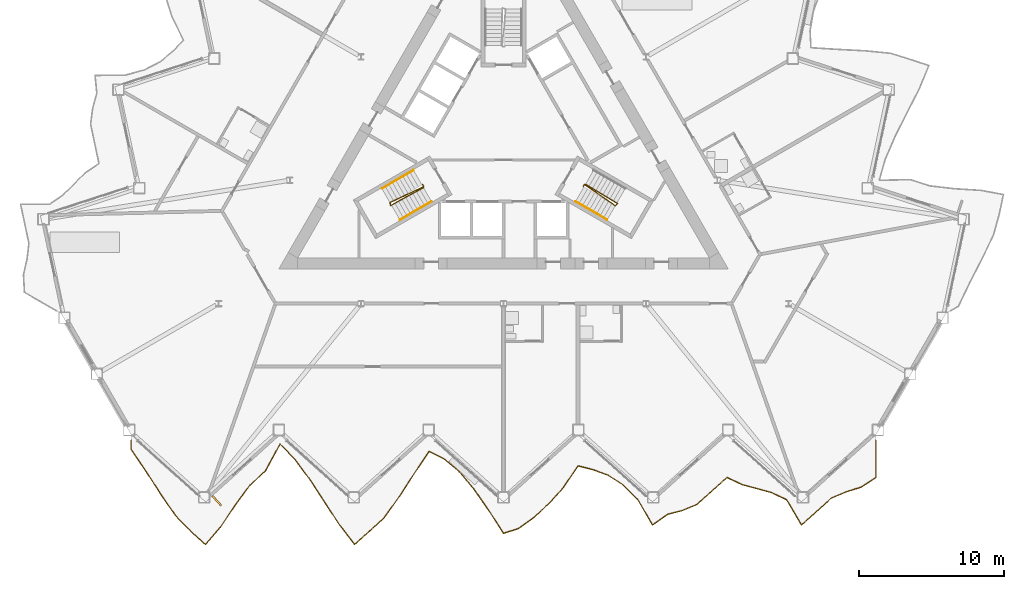
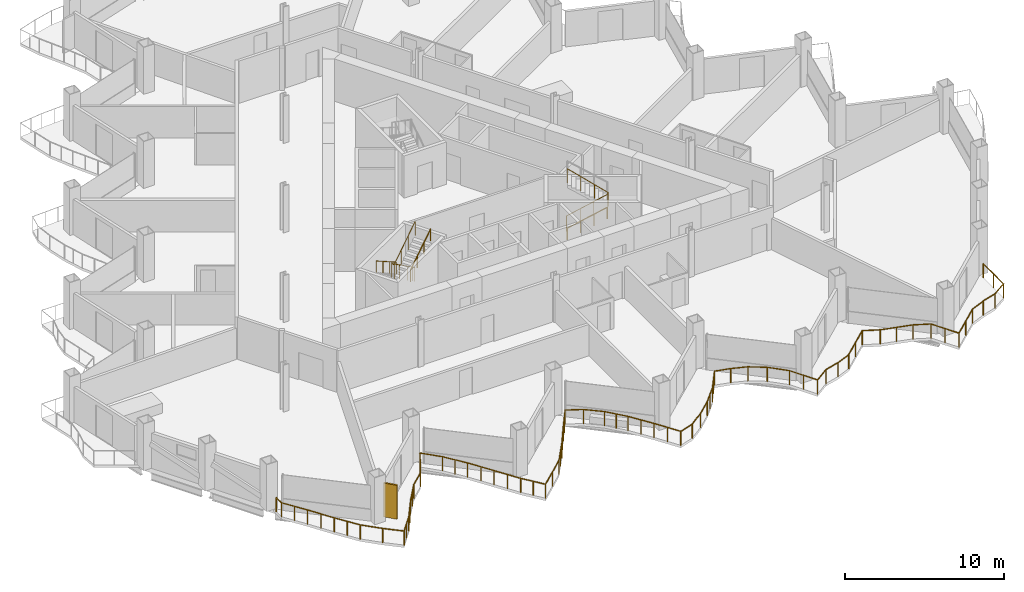
# One storey, part 18 of 22: 6 railings, 1 shading device.
"""IFC4 building model written with IfcOpenShell, lengths in metres."""

from ifc_helpers import new_model, si_unit, direction, frame, origin, origin_2d, place, context, subcontext, project, spatial, rectangle, circle, extrude, material, layer, layer_set, type_object, element, save


model = new_model("IFC4")

# Units and contexts
model_context = context("Model", 3, precision=1e-05, world=origin(), true_north=direction((0.0, 1.0)))
body_context = subcontext(model_context, "Body", "Model", "MODEL_VIEW")
ifc_project = project(units=[si_unit("LENGTHUNIT", "METRE"), si_unit("AREAUNIT", "SQUARE_METRE"), si_unit("VOLUMEUNIT", "CUBIC_METRE"), si_unit("PLANEANGLEUNIT", "RADIAN"), si_unit("MASSUNIT", "GRAM", prefix="KILO")], contexts=[model_context])

# Site, building, storey
site_placement = place(None, origin())
site = spatial("IfcSite", under=ifc_project, at=site_placement, CompositionType="ELEMENT")
building_placement = place(site_placement, origin())
building = spatial("IfcBuilding", under=site, at=building_placement, Name="Cormorant Prow Tower", CompositionType="ELEMENT")
storey_placement = place(building_placement, frame((0.0, 0.0, 194.39990234375)))
storey = spatial("IfcBuildingStorey", under=building, at=storey_placement, Name="L42", CompositionType="ELEMENT", Elevation=194.39990234375)

# Railings
ifc_material_1 = material(Name="Aluminium 6063-T6", Category="aluminium")
railing_type_1 = type_object("IfcRailingType", Name="Balcony guard 1100", PredefinedType="GUARDRAIL", material=ifc_material_1)
railing_1_placement = place(storey_placement, frame((-25.692626953125, -20.779052734375, 0.0)))
element("IfcRailing", 1, at=railing_1_placement, inside=storey, type_object=railing_type_1, Name="Balcony guard S", PredefinedType="GUARDRAIL", context=body_context, shape_type="SweptSolid", body=[
    extrude(circle(Radius=0.02392578125, at=origin_2d()), frame((0.0, 0.0, 1.076171875), z_axis=(0.0, -1.0, 0.0), x_axis=(1.0, 0.0, 0.0)), (0.0, 0.0, 1.0), 0.635986328125),
    extrude(circle(Radius=0.02392578125, at=origin_2d()), frame((0.0, -0.635986328125, 1.076171875), z_axis=(0.562880383359, -0.826538368153, 0.0), x_axis=(0.826538368153, 0.562880383359, 0.0)), (0.0, 0.0, 1.0), 1.825927734375),
    extrude(circle(Radius=0.02392578125, at=origin_2d()), frame((1.02783203125, -2.145263671875, 1.076171875), z_axis=(0.5414205618, -0.840751910649, 0.0), x_axis=(0.840751910649, 0.5414205618, 0.0)), (0.0, 0.0, 1.0), 1.89794921875),
    extrude(circle(Radius=0.02392578125, at=origin_2d()), frame((2.055419921875, -3.740966796875, 1.076171875), z_axis=(0.56798835838, -0.823036587731, 0.0), x_axis=(0.823036587731, 0.56798835838, 0.0)), (0.0, 0.0, 1.0), 1.80908203125),
    extrude(circle(Radius=0.02392578125, at=origin_2d()), frame((3.0830078125, -5.22998046875, 1.076171875), z_axis=(0.702503094506, -0.711680688377, 0.0), x_axis=(0.711680688377, 0.702503094506, 0.0)), (0.0, 0.0, 1.0), 1.463134765625),
    extrude(circle(Radius=0.02392578125, at=origin_2d()), frame((4.11083984375, -6.271240234375, 1.076171875), z_axis=(0.743127320917, -0.669150046632, 0.0), x_axis=(0.669150046632, 0.743127320917, 0.0)), (0.0, 0.0, 1.0), 1.3828125),
    extrude(circle(Radius=0.02392578125, at=origin_2d()), frame((5.138427734375, -7.196533203125, 1.076171875), z_axis=(0.65038416504, 0.759605448812, 0.0), x_axis=(-0.759605448812, 0.65038416504, 0.0)), (0.0, 0.0, 1.0), 1.580322265625),
    extrude(circle(Radius=0.02392578125, at=origin_2d()), frame((6.166259765625, -5.99609375, 1.076171875), z_axis=(0.554122819818, 0.832434922716, 0.0), x_axis=(-0.832434922716, 0.554122819818, 0.0)), (0.0, 0.0, 1.0), 1.8544921875),
    extrude(circle(Radius=0.02392578125, at=origin_2d()), frame((7.19384765625, -4.452392578125, 1.076171875), z_axis=(0.59681979502, 0.80237530637, 0.0), x_axis=(-0.80237530637, 0.59681979502, 0.0)), (0.0, 0.0, 1.0), 1.72216796875),
    extrude(circle(Radius=0.02392578125, at=origin_2d()), frame((8.2216796875, -3.070556640625, 1.076171875), z_axis=(0.743127320917, 0.669150046632, 0.0), x_axis=(-0.669150046632, 0.743127320917, 0.0)), (0.0, 0.0, 1.0), 1.3828125),
    extrude(circle(Radius=0.02392578125, at=origin_2d()), frame((9.249267578125, -2.145263671875, 1.076171875), z_axis=(0.481172710417, 0.87662581684, 0.0), x_axis=(-0.87662581684, 0.481172710417, 0.0)), (0.0, 0.0, 1.0), 2.135986328125),
    extrude(circle(Radius=0.02392578125, at=origin_2d()), frame((10.277099609375, -0.272705078125, 1.076171875), z_axis=(0.69552877323, -0.718498243289, 0.0), x_axis=(0.718498243289, 0.69552877323, 0.0)), (0.0, 0.0, 1.0), 1.4775390625),
    extrude(circle(Radius=0.02392578125, at=origin_2d()), frame((11.3046875, -1.334228515625, 1.076171875), z_axis=(0.597023504083, -0.802223744084, 0.0), x_axis=(0.802223744084, 0.597023504083, 0.0)), (0.0, 0.0, 1.0), 1.7216796875),
    extrude(circle(Radius=0.02392578125, at=origin_2d()), frame((12.33251953125, -2.71533203125, 1.076171875), z_axis=(0.547684018413, -0.836685255024, 0.0), x_axis=(0.836685255024, 0.547684018413, 0.0)), (0.0, 0.0, 1.0), 1.876220703125),
    extrude(circle(Radius=0.02392578125, at=origin_2d()), frame((13.360107421875, -4.28515625, 1.076171875), z_axis=(0.547060291965, -0.83709320685, 0.0), x_axis=(0.83709320685, 0.547060291965, 0.0)), (0.0, 0.0, 1.0), 1.87890625),
    extrude(circle(Radius=0.02392578125, at=origin_2d()), frame((14.387939453125, -5.85791015625, 1.076171875), z_axis=(0.608920414258, -0.793231321306, 0.0), x_axis=(0.793231321306, 0.608920414258, 0.0)), (0.0, 0.0, 1.0), 1.6875),
    extrude(circle(Radius=0.02392578125, at=origin_2d()), frame((15.41552734375, -7.196533203125, 1.076171875), z_axis=(0.743206360721, 0.669062258227, 0.0), x_axis=(-0.669062258227, 0.743206360721, 0.0)), (0.0, 0.0, 1.0), 1.383056640625),
    extrude(circle(Radius=0.02392578125, at=origin_2d()), frame((16.443359375, -6.271240234375, 1.076171875), z_axis=(0.738398132873, 0.674365032731, 0.0), x_axis=(-0.674365032731, 0.738398132873, 0.0)), (0.0, 0.0, 1.0), 1.3916015625),
    extrude(circle(Radius=0.02392578125, at=origin_2d()), frame((17.470947265625, -5.332763671875, 1.076171875), z_axis=(0.582218913064, 0.81303206411, 0.0), x_axis=(-0.81303206411, 0.582218913064, 0.0)), (0.0, 0.0, 1.0), 1.765380859375),
    extrude(circle(Radius=0.02392578125, at=origin_2d()), frame((18.498779296875, -3.8974609375, 1.076171875), z_axis=(0.543476120583, 0.839424628157, 0.0), x_axis=(-0.839424628157, 0.543476120583, 0.0)), (0.0, 0.0, 1.0), 1.890869140625),
    extrude(circle(Radius=0.02392578125, at=origin_2d()), frame((19.5263671875, -2.310302734375, 1.076171875), z_axis=(0.553122603933, 0.833099864973, 0.0), x_axis=(-0.833099864973, 0.553122603933, 0.0)), (0.0, 0.0, 1.0), 1.858154296875),
    extrude(circle(Radius=0.02392578125, at=origin_2d()), frame((20.55419921875, -0.76220703125, 1.076171875), z_axis=(0.89199817842, -0.452038991345, 0.0), x_axis=(0.452038991345, 0.89199817842, 0.0)), (0.0, 0.0, 1.0), 1.152099609375),
    extrude(circle(Radius=0.02392578125, at=origin_2d()), frame((21.581787109375, -1.282958984375, 1.076171875), z_axis=(0.768789762863, -0.639501603217, 0.0), x_axis=(0.639501603217, 0.768789762863, 0.0)), (0.0, 0.0, 1.0), 1.3369140625),
    extrude(circle(Radius=0.02392578125, at=origin_2d()), frame((22.609619140625, -2.137939453125, 1.076171875), z_axis=(0.647402819957, -0.762148009714, 0.0), x_axis=(0.762148009714, 0.647402819957, 0.0)), (0.0, 0.0, 1.0), 1.587158203125),
    extrude(circle(Radius=0.02392578125, at=origin_2d()), frame((23.63720703125, -3.34765625, 1.076171875), z_axis=(0.569723566224, -0.821836393748, 0.0), x_axis=(0.821836393748, 0.569723566224, 0.0)), (0.0, 0.0, 1.0), 1.80419921875),
    extrude(circle(Radius=0.02392578125, at=origin_2d()), frame((24.6650390625, -4.830322265625, 1.076171875), z_axis=(0.541537690381, -0.840676471597, 0.0), x_axis=(0.840676471597, 0.541537690381, 0.0)), (0.0, 0.0, 1.0), 1.8974609375),
    extrude(circle(Radius=0.02392578125, at=origin_2d()), frame((25.692626953125, -6.425537109375, 1.076171875), z_axis=(0.950496607834, 0.310734932853, 0.0), x_axis=(-0.310734932853, 0.950496607834, 0.0)), (0.0, 0.0, 1.0), 1.0810546875),
    extrude(circle(Radius=0.02392578125, at=origin_2d()), frame((26.72021484375, -6.089599609375, 1.076171875), z_axis=(0.810181630991, 0.586178918765, 0.0), x_axis=(-0.586178918765, 0.810181630991, 0.0)), (0.0, 0.0, 1.0), 1.2685546875),
    extrude(circle(Radius=0.02392578125, at=origin_2d()), frame((27.748046875, -5.345947265625, 1.076171875), z_axis=(0.743127320917, 0.669150046632, 0.0), x_axis=(-0.669150046632, 0.743127320917, 0.0)), (0.0, 0.0, 1.0), 1.3828125),
    extrude(circle(Radius=0.02392578125, at=origin_2d()), frame((28.775634765625, -4.420654296875, 1.076171875), z_axis=(0.673388996179, 0.739288346874, 0.0), x_axis=(-0.739288346874, 0.673388996179, 0.0)), (0.0, 0.0, 1.0), 1.5263671875),
    extrude(circle(Radius=0.02392578125, at=origin_2d()), frame((29.803466796875, -3.292236328125, 1.076171875), z_axis=(0.559445461003, 0.828867164365, 0.0), x_axis=(-0.828867164365, 0.559445461003, 0.0)), (0.0, 0.0, 1.0), 1.8369140625),
    extrude(circle(Radius=0.02392578125, at=origin_2d()), frame((30.8310546875, -1.769775390625, 1.076171875), z_axis=(0.970223783339, -0.242210260401, 0.0), x_axis=(0.242210260401, 0.970223783339, 0.0)), (0.0, 0.0, 1.0), 1.059326171875),
    extrude(circle(Radius=0.02392578125, at=origin_2d()), frame((31.85888671875, -2.0263671875, 1.076171875), z_axis=(0.938825840558, -0.344392277933, 0.0), x_axis=(0.344392277933, 0.938825840558, 0.0)), (0.0, 0.0, 1.0), 1.094482421875),
    extrude(circle(Radius=0.02392578125, at=origin_2d()), frame((32.886474609375, -2.4033203125, 1.076171875), z_axis=(0.843125057898, -0.537717525049, 0.0), x_axis=(0.537717525049, 0.843125057898, 0.0)), (0.0, 0.0, 1.0), 1.218994140625),
    extrude(circle(Radius=0.02392578125, at=origin_2d()), frame((33.914306640625, -3.058837890625, 1.076171875), z_axis=(0.712756953572, -0.701411095674, 0.0), x_axis=(0.701411095674, 0.712756953572, 0.0)), (0.0, 0.0, 1.0), 1.441650390625),
    extrude(circle(Radius=0.02392578125, at=origin_2d()), frame((34.94189453125, -4.070068359375, 1.076171875), z_axis=(0.500768984938, -0.865580974678, 0.0), x_axis=(0.865580974678, 0.500768984938, 0.0)), (0.0, 0.0, 1.0), 2.052490234375),
    extrude(circle(Radius=0.02392578125, at=origin_2d()), frame((35.9697265625, -5.8466796875, 1.076171875), z_axis=(0.814961420902, 0.579515213295, 0.0), x_axis=(-0.579515213295, 0.814961420902, 0.0)), (0.0, 0.0, 1.0), 1.260986328125),
    extrude(circle(Radius=0.02392578125, at=origin_2d()), frame((36.997314453125, -5.115966796875, 1.076171875), z_axis=(0.967967929933, 0.251073866862, 0.0), x_axis=(-0.251073866862, 0.967967929933, 0.0)), (0.0, 0.0, 1.0), 1.061767578125),
    extrude(circle(Radius=0.02392578125, at=origin_2d()), frame((38.025146484375, -4.849365234375, 1.076171875), z_axis=(0.922901671941, 0.385035717731, 0.0), x_axis=(-0.385035717731, 0.922901671941, 0.0)), (0.0, 0.0, 1.0), 1.113525390625),
    extrude(circle(Radius=0.02392578125, at=origin_2d()), frame((39.052734375, -4.420654296875, 1.076171875), z_axis=(0.743206360721, 0.669062258227, 0.0), x_axis=(-0.669062258227, 0.743206360721, 0.0)), (0.0, 0.0, 1.0), 1.383056640625),
    extrude(circle(Radius=0.02392578125, at=origin_2d()), frame((40.08056640625, -3.495361328125, 1.076171875), z_axis=(0.743127320917, 0.669150046632, 0.0), x_axis=(-0.669150046632, 0.743127320917, 0.0)), (0.0, 0.0, 1.0), 1.3828125),
    extrude(circle(Radius=0.02392578125, at=origin_2d()), frame((41.108154296875, -2.570068359375, 1.076171875), z_axis=(0.90400437301, -0.427523208234, 0.0), x_axis=(0.427523208234, 0.90400437301, 0.0)), (0.0, 0.0, 1.0), 1.136962890625),
    extrude(circle(Radius=0.02392578125, at=origin_2d()), frame((42.135986328125, -3.05615234375, 1.076171875), z_axis=(0.966200640542, -0.257791237664, 0.0), x_axis=(0.257791237664, 0.966200640542, 0.0)), (0.0, 0.0, 1.0), 1.0634765625),
    extrude(circle(Radius=0.02392578125, at=origin_2d()), frame((43.16357421875, -3.330322265625, 1.076171875), z_axis=(0.96354413656, -0.267549428893, 0.0), x_axis=(0.267549428893, 0.96354413656, 0.0)), (0.0, 0.0, 1.0), 1.066650390625),
    extrude(circle(Radius=0.02392578125, at=origin_2d()), frame((44.19140625, -3.61572265625, 1.076171875), z_axis=(0.905539017298, -0.424262994087, 0.0), x_axis=(0.424262994087, 0.905539017298, 0.0)), (0.0, 0.0, 1.0), 1.134765625),
    extrude(circle(Radius=0.02392578125, at=origin_2d()), frame((45.218994140625, -4.09716796875, 1.076171875), z_axis=(0.506546812459, -0.862212460353, 0.0), x_axis=(0.862212460353, 0.506546812459, 0.0)), (0.0, 0.0, 1.0), 2.029052734375),
    extrude(circle(Radius=0.02392578125, at=origin_2d()), frame((46.246826171875, -5.8466796875, 1.076171875), z_axis=(0.743127320917, 0.669150046632, 0.0), x_axis=(-0.669150046632, 0.743127320917, 0.0)), (0.0, 0.0, 1.0), 1.3828125),
    extrude(circle(Radius=0.02392578125, at=origin_2d()), frame((47.2744140625, -4.92138671875, 1.076171875), z_axis=(0.743118583138, 0.66915975028, 0.0), x_axis=(-0.66915975028, 0.743118583138, 0.0)), (0.0, 0.0, 1.0), 1.383056640625),
    extrude(circle(Radius=0.02392578125, at=origin_2d()), frame((48.30224609375, -3.995849609375, 1.076171875), z_axis=(0.919449829032, 0.393207339572, 0.0), x_axis=(-0.393207339572, 0.919449829032, 0.0)), (0.0, 0.0, 1.0), 1.11767578125),
    extrude(circle(Radius=0.02392578125, at=origin_2d()), frame((49.329833984375, -3.556396484375, 1.076171875), z_axis=(0.956547183631, 0.291577580565, 0.0), x_axis=(-0.291577580565, 0.956547183631, 0.0)), (0.0, 0.0, 1.0), 1.07421875),
    extrude(circle(Radius=0.02392578125, at=origin_2d()), frame((50.357421875, -3.2431640625, 1.076171875), z_axis=(0.83657732916, 0.547848859025, 0.0), x_axis=(-0.547848859025, 0.83657732916, 0.0)), (0.0, 0.0, 1.0), 1.228515625),
    extrude(circle(Radius=0.02392578125, at=origin_2d()), frame((51.38525390625, -2.570068359375, 1.076171875), z_axis=(0.0, 1.0, 0.0), x_axis=(-1.0, 0.0, 0.0)), (0.0, 0.0, 1.0), 2.570068359375),
    extrude(circle(Radius=0.02099609375, at=origin_2d()), origin(), (0.0, 0.0, 1.0), 1.052001953125),
    extrude(circle(Radius=0.02099609375, at=origin_2d()), frame((0.0, -0.635986328125, 0.0)), (0.0, 0.0, 1.0), 1.052001953125),
    extrude(circle(Radius=0.02099609375, at=origin_2d()), frame((0.513916015625, -1.390625, 0.0)), (0.0, 0.0, 1.0), 1.052001953125),
    extrude(circle(Radius=0.02099609375, at=origin_2d()), frame((1.02783203125, -2.145263671875, 0.0)), (0.0, 0.0, 1.0), 1.052001953125),
    extrude(circle(Radius=0.02099609375, at=origin_2d()), frame((1.54150390625, -2.943115234375, 0.0)), (0.0, 0.0, 1.0), 1.052001953125),
    extrude(circle(Radius=0.02099609375, at=origin_2d()), frame((2.055419921875, -3.740966796875, 0.0)), (0.0, 0.0, 1.0), 1.052001953125),
    extrude(circle(Radius=0.02099609375, at=origin_2d()), frame((2.5693359375, -4.4853515625, 0.0)), (0.0, 0.0, 1.0), 1.052001953125),
    extrude(circle(Radius=0.02099609375, at=origin_2d()), frame((3.0830078125, -5.22998046875, 0.0)), (0.0, 0.0, 1.0), 1.052001953125),
    extrude(circle(Radius=0.02099609375, at=origin_2d()), frame((4.11083984375, -6.271240234375, 0.0)), (0.0, 0.0, 1.0), 1.052001953125),
    extrude(circle(Radius=0.02099609375, at=origin_2d()), frame((5.138427734375, -7.196533203125, 0.0)), (0.0, 0.0, 1.0), 1.052001953125),
    extrude(circle(Radius=0.02099609375, at=origin_2d()), frame((5.65234375, -6.59619140625, 0.0)), (0.0, 0.0, 1.0), 1.052001953125),
    extrude(circle(Radius=0.02099609375, at=origin_2d()), frame((6.166259765625, -5.99609375, 0.0)), (0.0, 0.0, 1.0), 1.052001953125),
    extrude(circle(Radius=0.02099609375, at=origin_2d()), frame((6.68017578125, -5.22412109375, 0.0)), (0.0, 0.0, 1.0), 1.052001953125),
    extrude(circle(Radius=0.02099609375, at=origin_2d()), frame((7.19384765625, -4.452392578125, 0.0)), (0.0, 0.0, 1.0), 1.052001953125),
    extrude(circle(Radius=0.02099609375, at=origin_2d()), frame((7.707763671875, -3.761474609375, 0.0)), (0.0, 0.0, 1.0), 1.052001953125),
    extrude(circle(Radius=0.02099609375, at=origin_2d()), frame((8.2216796875, -3.070556640625, 0.0)), (0.0, 0.0, 1.0), 1.052001953125),
    extrude(circle(Radius=0.02099609375, at=origin_2d()), frame((9.249267578125, -2.145263671875, 0.0)), (0.0, 0.0, 1.0), 1.052001953125),
    extrude(circle(Radius=0.02099609375, at=origin_2d()), frame((9.76318359375, -1.208984375, 0.0)), (0.0, 0.0, 1.0), 1.052001953125),
    extrude(circle(Radius=0.02099609375, at=origin_2d()), frame((10.277099609375, -0.272705078125, 0.0)), (0.0, 0.0, 1.0), 1.052001953125),
    extrude(circle(Radius=0.02099609375, at=origin_2d()), frame((11.3046875, -1.334228515625, 0.0)), (0.0, 0.0, 1.0), 1.052001953125),
    extrude(circle(Radius=0.02099609375, at=origin_2d()), frame((11.818603515625, -2.02490234375, 0.0)), (0.0, 0.0, 1.0), 1.052001953125),
    extrude(circle(Radius=0.02099609375, at=origin_2d()), frame((12.33251953125, -2.71533203125, 0.0)), (0.0, 0.0, 1.0), 1.052001953125),
    extrude(circle(Radius=0.02099609375, at=origin_2d()), frame((12.84619140625, -3.500244140625, 0.0)), (0.0, 0.0, 1.0), 1.052001953125),
    extrude(circle(Radius=0.02099609375, at=origin_2d()), frame((13.360107421875, -4.28515625, 0.0)), (0.0, 0.0, 1.0), 1.052001953125),
    extrude(circle(Radius=0.02099609375, at=origin_2d()), frame((13.8740234375, -5.071533203125, 0.0)), (0.0, 0.0, 1.0), 1.052001953125),
    extrude(circle(Radius=0.02099609375, at=origin_2d()), frame((14.387939453125, -5.85791015625, 0.0)), (0.0, 0.0, 1.0), 1.052001953125),
    extrude(circle(Radius=0.02099609375, at=origin_2d()), frame((14.90185546875, -6.52734375, 0.0)), (0.0, 0.0, 1.0), 1.052001953125),
    extrude(circle(Radius=0.02099609375, at=origin_2d()), frame((15.41552734375, -7.196533203125, 0.0)), (0.0, 0.0, 1.0), 1.052001953125),
    extrude(circle(Radius=0.02099609375, at=origin_2d()), frame((16.443359375, -6.271240234375, 0.0)), (0.0, 0.0, 1.0), 1.052001953125),
    extrude(circle(Radius=0.02099609375, at=origin_2d()), frame((17.470947265625, -5.332763671875, 0.0)), (0.0, 0.0, 1.0), 1.052001953125),
    extrude(circle(Radius=0.02099609375, at=origin_2d()), frame((17.98486328125, -4.615234375, 0.0)), (0.0, 0.0, 1.0), 1.052001953125),
    extrude(circle(Radius=0.02099609375, at=origin_2d()), frame((18.498779296875, -3.8974609375, 0.0)), (0.0, 0.0, 1.0), 1.052001953125),
    extrude(circle(Radius=0.02099609375, at=origin_2d()), frame((19.0126953125, -3.10400390625, 0.0)), (0.0, 0.0, 1.0), 1.052001953125),
    extrude(circle(Radius=0.02099609375, at=origin_2d()), frame((19.5263671875, -2.310302734375, 0.0)), (0.0, 0.0, 1.0), 1.052001953125),
    extrude(circle(Radius=0.02099609375, at=origin_2d()), frame((20.040283203125, -1.5361328125, 0.0)), (0.0, 0.0, 1.0), 1.052001953125),
    extrude(circle(Radius=0.02099609375, at=origin_2d()), frame((20.55419921875, -0.76220703125, 0.0)), (0.0, 0.0, 1.0), 1.052001953125),
    extrude(circle(Radius=0.02099609375, at=origin_2d()), frame((21.581787109375, -1.282958984375, 0.0)), (0.0, 0.0, 1.0), 1.052001953125),
    extrude(circle(Radius=0.02099609375, at=origin_2d()), frame((22.609619140625, -2.137939453125, 0.0)), (0.0, 0.0, 1.0), 1.052001953125),
    extrude(circle(Radius=0.02099609375, at=origin_2d()), frame((23.12353515625, -2.74267578125, 0.0)), (0.0, 0.0, 1.0), 1.052001953125),
    extrude(circle(Radius=0.02099609375, at=origin_2d()), frame((23.63720703125, -3.34765625, 0.0)), (0.0, 0.0, 1.0), 1.052001953125),
    extrude(circle(Radius=0.02099609375, at=origin_2d()), frame((24.151123046875, -4.0888671875, 0.0)), (0.0, 0.0, 1.0), 1.052001953125),
    extrude(circle(Radius=0.02099609375, at=origin_2d()), frame((24.6650390625, -4.830322265625, 0.0)), (0.0, 0.0, 1.0), 1.052001953125),
    extrude(circle(Radius=0.02099609375, at=origin_2d()), frame((25.1787109375, -5.6279296875, 0.0)), (0.0, 0.0, 1.0), 1.052001953125),
    extrude(circle(Radius=0.02099609375, at=origin_2d()), frame((25.692626953125, -6.425537109375, 0.0)), (0.0, 0.0, 1.0), 1.052001953125),
    extrude(circle(Radius=0.02099609375, at=origin_2d()), frame((26.72021484375, -6.089599609375, 0.0)), (0.0, 0.0, 1.0), 1.052001953125),
    extrude(circle(Radius=0.02099609375, at=origin_2d()), frame((27.748046875, -5.345947265625, 0.0)), (0.0, 0.0, 1.0), 1.052001953125),
    extrude(circle(Radius=0.02099609375, at=origin_2d()), frame((28.775634765625, -4.420654296875, 0.0)), (0.0, 0.0, 1.0), 1.052001953125),
    extrude(circle(Radius=0.02099609375, at=origin_2d()), frame((29.28955078125, -3.8564453125, 0.0)), (0.0, 0.0, 1.0), 1.052001953125),
    extrude(circle(Radius=0.02099609375, at=origin_2d()), frame((29.803466796875, -3.292236328125, 0.0)), (0.0, 0.0, 1.0), 1.052001953125),
    extrude(circle(Radius=0.02099609375, at=origin_2d()), frame((30.3173828125, -2.531005859375, 0.0)), (0.0, 0.0, 1.0), 1.052001953125),
    extrude(circle(Radius=0.02099609375, at=origin_2d()), frame((30.8310546875, -1.769775390625, 0.0)), (0.0, 0.0, 1.0), 1.052001953125),
    extrude(circle(Radius=0.02099609375, at=origin_2d()), frame((31.85888671875, -2.0263671875, 0.0)), (0.0, 0.0, 1.0), 1.052001953125),
    extrude(circle(Radius=0.02099609375, at=origin_2d()), frame((32.886474609375, -2.4033203125, 0.0)), (0.0, 0.0, 1.0), 1.052001953125),
    extrude(circle(Radius=0.02099609375, at=origin_2d()), frame((33.914306640625, -3.058837890625, 0.0)), (0.0, 0.0, 1.0), 1.052001953125),
    extrude(circle(Radius=0.02099609375, at=origin_2d()), frame((34.94189453125, -4.070068359375, 0.0)), (0.0, 0.0, 1.0), 1.052001953125),
    extrude(circle(Radius=0.02099609375, at=origin_2d()), frame((35.455810546875, -4.95849609375, 0.0)), (0.0, 0.0, 1.0), 1.052001953125),
    extrude(circle(Radius=0.02099609375, at=origin_2d()), frame((35.9697265625, -5.8466796875, 0.0)), (0.0, 0.0, 1.0), 1.052001953125),
    extrude(circle(Radius=0.02099609375, at=origin_2d()), frame((36.997314453125, -5.115966796875, 0.0)), (0.0, 0.0, 1.0), 1.052001953125),
    extrude(circle(Radius=0.02099609375, at=origin_2d()), frame((38.025146484375, -4.849365234375, 0.0)), (0.0, 0.0, 1.0), 1.052001953125),
    extrude(circle(Radius=0.02099609375, at=origin_2d()), frame((39.052734375, -4.420654296875, 0.0)), (0.0, 0.0, 1.0), 1.052001953125),
    extrude(circle(Radius=0.02099609375, at=origin_2d()), frame((40.08056640625, -3.495361328125, 0.0)), (0.0, 0.0, 1.0), 1.052001953125),
    extrude(circle(Radius=0.02099609375, at=origin_2d()), frame((41.108154296875, -2.570068359375, 0.0)), (0.0, 0.0, 1.0), 1.052001953125),
    extrude(circle(Radius=0.02099609375, at=origin_2d()), frame((42.135986328125, -3.05615234375, 0.0)), (0.0, 0.0, 1.0), 1.052001953125),
    extrude(circle(Radius=0.02099609375, at=origin_2d()), frame((43.16357421875, -3.330322265625, 0.0)), (0.0, 0.0, 1.0), 1.052001953125),
    extrude(circle(Radius=0.02099609375, at=origin_2d()), frame((44.19140625, -3.61572265625, 0.0)), (0.0, 0.0, 1.0), 1.052001953125),
    extrude(circle(Radius=0.02099609375, at=origin_2d()), frame((45.218994140625, -4.09716796875, 0.0)), (0.0, 0.0, 1.0), 1.052001953125),
    extrude(circle(Radius=0.02099609375, at=origin_2d()), frame((45.73291015625, -4.971923828125, 0.0)), (0.0, 0.0, 1.0), 1.052001953125),
    extrude(circle(Radius=0.02099609375, at=origin_2d()), frame((46.246826171875, -5.8466796875, 0.0)), (0.0, 0.0, 1.0), 1.052001953125),
    extrude(circle(Radius=0.02099609375, at=origin_2d()), frame((47.2744140625, -4.92138671875, 0.0)), (0.0, 0.0, 1.0), 1.052001953125),
    extrude(circle(Radius=0.02099609375, at=origin_2d()), frame((48.30224609375, -3.995849609375, 0.0)), (0.0, 0.0, 1.0), 1.052001953125),
    extrude(circle(Radius=0.02099609375, at=origin_2d()), frame((49.329833984375, -3.556396484375, 0.0)), (0.0, 0.0, 1.0), 1.052001953125),
    extrude(circle(Radius=0.02099609375, at=origin_2d()), frame((50.357421875, -3.2431640625, 0.0)), (0.0, 0.0, 1.0), 1.052001953125),
    extrude(circle(Radius=0.02099609375, at=origin_2d()), frame((51.38525390625, -2.570068359375, 0.0)), (0.0, 0.0, 1.0), 1.052001953125),
    extrude(circle(Radius=0.02099609375, at=origin_2d()), frame((51.38525390625, -1.28515625, 0.0)), (0.0, 0.0, 1.0), 1.052001953125),
    extrude(circle(Radius=0.02099609375, at=origin_2d()), frame((51.38525390625, 0.0, 0.0)), (0.0, 0.0, 1.0), 1.052001953125),
])
ifc_material_2 = material(Name="Stainless steel", Category="steel")
railing_type_2 = type_object("IfcRailingType", Name="Stair guard 1100", PredefinedType="GUARDRAIL", material=ifc_material_2)
railing_2_placement = place(storey_placement, frame((-5.585205078125, -3.137939453125, 0.0)))
element("IfcRailing", 2, at=railing_2_placement, inside=storey, type_object=railing_type_2, Name="L42 ST1 stair guard 1", PredefinedType="GUARDRAIL", context=body_context, shape_type="SweptSolid", body=[
    extrude(circle(Radius=0.02392578125, at=origin_2d()), frame((0.0, 0.0, 1.076171875), z_axis=(0.501036270542, -0.865426285481, 0.0), x_axis=(0.865426285481, 0.501036270542, 0.0)), (0.0, 0.0, 1.0), 0.150146484375),
    extrude(circle(Radius=0.02392578125, at=origin_2d()), frame((0.0751953125, -0.1298828125, 1.076171875), z_axis=(-0.739707038506, -0.353624380995, 0.572523619033), x_axis=(0.431308035802, -0.902204731895, 0.0)), (0.0, 0.0, 1.0), 3.14404296875),
    extrude(circle(Radius=0.02392578125, at=origin_2d()), frame((-2.25048828125, -1.24169921875, 2.8759765625), z_axis=(0.274721127897, -0.961523947641, 0.0), x_axis=(0.961523947641, 0.274721127897, 0.0)), (0.0, 0.0, 1.0), 0.2060546875),
    extrude(circle(Radius=0.02392578125, at=origin_2d()), frame((-2.19384765625, -1.43994140625, 2.8759765625), z_axis=(0.717223475266, 0.39568267656, 0.573607623727), x_axis=(-0.483052234887, 0.87559153626, 0.0)), (0.0, 0.0, 1.0), 3.13818359375),
    extrude(circle(Radius=0.02099609375, at=origin_2d()), origin(), (0.0, 0.0, 1.0), 1.052001953125),
    extrude(circle(Radius=0.02099609375, at=origin_2d()), frame((0.0751953125, -0.1298828125, 0.0)), (0.0, 0.0, 1.0), 1.052001953125),
    extrude(circle(Radius=0.02099609375, at=origin_2d()), frame((-0.699951171875, -0.50048828125, 0.60009765625)), (0.0, 0.0, 1.0), 1.052001953125),
    extrude(circle(Radius=0.02099609375, at=origin_2d()), frame((-1.475341796875, -0.87109375, 1.199951171875)), (0.0, 0.0, 1.0), 1.052001953125),
    extrude(circle(Radius=0.02099609375, at=origin_2d()), frame((-2.25048828125, -1.24169921875, 1.800048828125)), (0.0, 0.0, 1.0), 1.052001953125),
    extrude(circle(Radius=0.02099609375, at=origin_2d()), frame((-2.19384765625, -1.43994140625, 1.800048828125)), (0.0, 0.0, 1.0), 1.052001953125),
    extrude(circle(Radius=0.02099609375, at=origin_2d()), frame((-1.443603515625, -1.026123046875, 2.400146484375)), (0.0, 0.0, 1.0), 1.052001953125),
    extrude(circle(Radius=0.02099609375, at=origin_2d()), frame((-0.693359375, -0.612060546875, 3.0)), (0.0, 0.0, 1.0), 1.052001953125),
    extrude(circle(Radius=0.02099609375, at=origin_2d()), frame((0.056884765625, -0.1982421875, 3.60009765625)), (0.0, 0.0, 1.0), 1.052001953125),
])
railing_3_placement = place(storey_placement, frame((5.510009765625, -3.267822265625, 0.0)))
element("IfcRailing", 3, at=railing_3_placement, inside=storey, type_object=railing_type_2, Name="L42 ST2 stair guard 1", PredefinedType="GUARDRAIL", context=body_context, shape_type="SweptSolid", body=[
    extrude(circle(Radius=0.02392578125, at=origin_2d()), frame((0.0, 0.0, 1.076171875), z_axis=(0.501036270542, 0.865426285481, 0.0), x_axis=(-0.865426285481, 0.501036270542, 0.0)), (0.0, 0.0, 1.0), 0.150146484375),
    extrude(circle(Radius=0.02392578125, at=origin_2d()), frame((0.0751953125, 0.1298828125, 1.076171875), z_axis=(0.676058237057, -0.463829066155, 0.572545070276), x_axis=(0.565732651216, 0.824588726183, 0.0)), (0.0, 0.0, 1.0), 3.14404296875),
    extrude(circle(Radius=0.02392578125, at=origin_2d()), frame((2.20068359375, -1.328369140625, 2.8759765625), z_axis=(0.695164929852, 0.718850276695, 0.0), x_axis=(-0.718850276695, 0.695164929852, 0.0)), (0.0, 0.0, 1.0), 0.2060546875),
    extrude(circle(Radius=0.02392578125, at=origin_2d()), frame((2.343994140625, -1.18017578125, 2.8759765625), z_axis=(-0.70127624584, 0.423301980654, 0.573608804147), x_axis=(-0.516770599887, -0.856123908726, 0.0)), (0.0, 0.0, 1.0), 3.13818359375),
    extrude(circle(Radius=0.02099609375, at=origin_2d()), origin(), (0.0, 0.0, 1.0), 1.052001953125),
    extrude(circle(Radius=0.02099609375, at=origin_2d()), frame((0.0751953125, 0.1298828125, 0.0)), (0.0, 0.0, 1.0), 1.052001953125),
    extrude(circle(Radius=0.02099609375, at=origin_2d()), frame((0.78369140625, -0.356201171875, 0.60009765625)), (0.0, 0.0, 1.0), 1.052001953125),
    extrude(circle(Radius=0.02099609375, at=origin_2d()), frame((1.4921875, -0.84228515625, 1.199951171875)), (0.0, 0.0, 1.0), 1.052001953125),
    extrude(circle(Radius=0.02099609375, at=origin_2d()), frame((2.20068359375, -1.328369140625, 1.800048828125)), (0.0, 0.0, 1.0), 1.052001953125),
    extrude(circle(Radius=0.02099609375, at=origin_2d()), frame((2.343994140625, -1.18017578125, 1.800048828125)), (0.0, 0.0, 1.0), 1.052001953125),
    extrude(circle(Radius=0.02099609375, at=origin_2d()), frame((1.6103515625, -0.7373046875, 2.400146484375)), (0.0, 0.0, 1.0), 1.052001953125),
    extrude(circle(Radius=0.02099609375, at=origin_2d()), frame((0.876953125, -0.294677734375, 3.0)), (0.0, 0.0, 1.0), 1.052001953125),
    extrude(circle(Radius=0.02099609375, at=origin_2d()), frame((0.143310546875, 0.148193359375, 3.60009765625)), (0.0, 0.0, 1.0), 1.052001953125),
])
ifc_material_3 = material(Name="Stainless steel", Category="steel")
railing_type_3 = type_object("IfcRailingType", Name="Stair handrail 900", PredefinedType="HANDRAIL", material=ifc_material_3)
railing_4_placement = place(storey_placement, frame((-6.212890625, -2.150634765625, 0.18017578125)))
element("IfcRailing", 4, at=railing_4_placement, inside=storey, type_object=railing_type_3, Name="L42 ST1 stair handrail 1", PredefinedType="HANDRAIL", context=body_context, shape_type="SweptSolid", body=[
    extrude(circle(Radius=0.02392578125, at=origin_2d()), frame((0.0, 0.0, 0.8759765625), z_axis=(-0.72849590497, -0.42060268101, 0.54072830624), x_axis=(0.500004791531, -0.866022637375, 0.0)), (0.0, 0.0, 1.0), 2.99560546875),
    extrude(circle(Radius=0.02099609375, at=origin_2d()), origin(), (0.0, 0.0, 1.0), 0.851806640625),
    extrude(circle(Radius=0.02099609375, at=origin_2d()), frame((-0.7275390625, -0.419921875, 0.5400390625)), (0.0, 0.0, 1.0), 0.851806640625),
    extrude(circle(Radius=0.02099609375, at=origin_2d()), frame((-1.454833984375, -0.840087890625, 1.079833984375)), (0.0, 0.0, 1.0), 0.851806640625),
    extrude(circle(Radius=0.02099609375, at=origin_2d()), frame((-2.182373046875, -1.260009765625, 1.619873046875)), (0.0, 0.0, 1.0), 0.851806640625),
])
railing_5_placement = place(storey_placement, frame((-7.1513671875, -5.565185546875, 1.97998046875)))
element("IfcRailing", 5, at=railing_5_placement, inside=storey, type_object=railing_type_3, Name="L42 ST1 stair handrail 2", PredefinedType="HANDRAIL", context=body_context, shape_type="SweptSolid", body=[
    extrude(circle(Radius=0.02392578125, at=origin_2d()), frame((0.0, 0.0, 0.8759765625), z_axis=(0.728463801763, 0.420584145978, 0.540785970299), x_axis=(-0.500004791531, 0.866022637375, 0.0)), (0.0, 0.0, 1.0), 2.995849609375),
    extrude(circle(Radius=0.02099609375, at=origin_2d()), origin(), (0.0, 0.0, 1.0), 0.851806640625),
    extrude(circle(Radius=0.02099609375, at=origin_2d()), frame((0.7275390625, 0.419921875, 0.5400390625)), (0.0, 0.0, 1.0), 0.851806640625),
    extrude(circle(Radius=0.02099609375, at=origin_2d()), frame((1.454833984375, 0.840087890625, 1.080078125)), (0.0, 0.0, 1.0), 0.851806640625),
    extrude(circle(Radius=0.02099609375, at=origin_2d()), frame((2.182373046875, 1.260009765625, 1.6201171875)), (0.0, 0.0, 1.0), 0.851806640625),
])
railing_6_placement = place(storey_placement, frame((4.968994140625, -4.30517578125, 0.18017578125)))
element("IfcRailing", 6, at=railing_6_placement, inside=storey, type_object=railing_type_3, Name="L42 ST2 stair handrail 1", PredefinedType="HANDRAIL", context=body_context, shape_type="SweptSolid", body=[
    extrude(circle(Radius=0.02392578125, at=origin_2d()), frame((0.0, 0.0, 0.8759765625), z_axis=(0.72849590497, -0.42060268101, 0.54072830624), x_axis=(0.500004791531, 0.866022637375, 0.0)), (0.0, 0.0, 1.0), 2.99560546875),
    extrude(circle(Radius=0.02099609375, at=origin_2d()), origin(), (0.0, 0.0, 1.0), 0.851806640625),
    extrude(circle(Radius=0.02099609375, at=origin_2d()), frame((0.7275390625, -0.419921875, 0.5400390625)), (0.0, 0.0, 1.0), 0.851806640625),
    extrude(circle(Radius=0.02099609375, at=origin_2d()), frame((1.454833984375, -0.840087890625, 1.079833984375)), (0.0, 0.0, 1.0), 0.851806640625),
    extrude(circle(Radius=0.02099609375, at=origin_2d()), frame((2.182373046875, -1.260009765625, 1.619873046875)), (0.0, 0.0, 1.0), 0.851806640625),
])

# Shading device
ifc_material_4 = material(Name="Terracotta", Category="masonry")
ifc_layer = layer(ifc_material_4, 0.1201171875)
ifc_layer_set = layer_set([ifc_layer], Name="Terracotta")
shading_device_type = type_object("IfcShadingDeviceType", Name="Terracotta baguette fin 120x900x2600", PredefinedType="USERDEFINED", material=ifc_layer_set)
shading_device_placement = place(storey_placement, frame((-19.786376953125, -24.93994140625, 0.0), z_axis=(0.0, 0.0, 1.0), x_axis=(0.743144831959, 0.66913059916, 0.0)))
element("IfcShadingDevice", 7, at=shading_device_placement, inside=storey, type_object=shading_device_type, Name="Baguette fin S01", ObjectType="BAGUETTE", PredefinedType="USERDEFINED", context=body_context, shape_type="SweptSolid", body=[
    extrude(rectangle(XDim=0.1201171875, YDim=0.89990234375, at=origin_2d()), origin(), (0.0, 0.0, 1.0), 2.60009765625),
])

save(model, "model.ifc")
